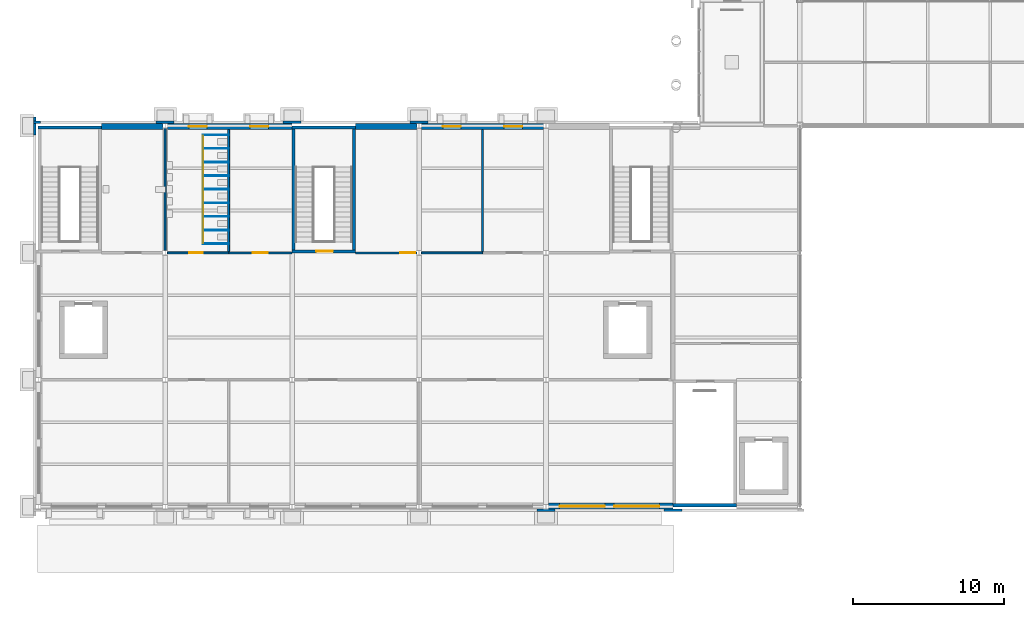
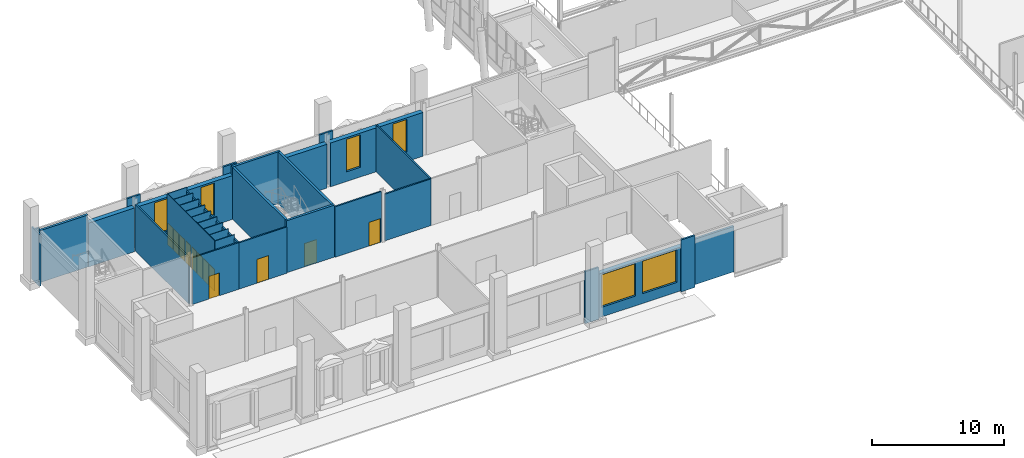
# One storey, part 48 of 76: 35 walls, 12 doors, 6 windows, 18 openings.
"""IFC4 building model written with IfcOpenShell, lengths in metres."""

import ifcopenshell
import ifcopenshell.guid

model = None  # the IFC model being written
_history = None  # IfcOwnerHistory: only IFC2X3 demands one
_inside = {}  # id of a spatial element -> (the spatial element, [elements in it])
_under = {}  # id of a project, library or spatial element -> (it, [spatial elements below it])
_declared = {}  # id of a project -> (the project, [libraries it declares])
_typed = {}  # id of a type object -> (the type object, [elements of that type])
_made_of = {}  # id of a material, layer set ... -> (it, [elements and type objects made of it])


def new_model(schema):
    """Start an empty IFC model of exactly this schema.

    Asked for "IFC4X3", IfcOpenShell would pick the latest addendum, in which some entities
    have other attributes; the version numbers below select the first issue.
    IFC2X3 requires an IfcOwnerHistory on every rooted entity: one is made here for all.
    """
    global model, _history
    if schema == "IFC4X3":
        model = ifcopenshell.file(schema_version=(4, 3, 0, 0))
    else:
        model = ifcopenshell.file(schema=schema)
    _inside.clear()
    _under.clear()
    _declared.clear()
    _typed.clear()
    _made_of.clear()
    _history = None
    if model.schema == "IFC2X3":
        org = make("IfcOrganization", Name="unknown")
        user = make(
            "IfcPersonAndOrganization",
            ThePerson=make("IfcPerson", FamilyName="unknown"),
            TheOrganization=org,
        )
        app = make(
            "IfcApplication",
            ApplicationDeveloper=org,
            Version="unknown",
            ApplicationFullName="unknown",
            ApplicationIdentifier="unknown",
        )
        _history = make(
            "IfcOwnerHistory",
            OwningUser=user,
            OwningApplication=app,
            ChangeAction="ADDED",
            CreationDate=0,
        )
    return model


def make(cls, **values):
    """One entity of the class cls with the attributes given. An attribute that is None is left unset."""
    return model.create_entity(
        cls, **{name: value for name, value in values.items() if value is not None}
    )


def rooted(cls, **values):
    """An entity with a GlobalId (a new one), such as an element, a storey or a relation."""
    return make(cls, GlobalId=ifcopenshell.guid.new(), OwnerHistory=_history, **values)


def si_unit(unit_type, name, prefix=None):
    """IfcSIUnit, for example si_unit("LENGTHUNIT", "METRE", prefix="MILLI")."""
    return make("IfcSIUnit", UnitType=unit_type, Prefix=prefix, Name=name)


def assignment(units):
    """IfcUnitAssignment: the units of a project."""
    return None if units is None else make("IfcUnitAssignment", Units=units)


def point(xyz):
    """IfcCartesianPoint."""
    return None if xyz is None else make("IfcCartesianPoint", Coordinates=xyz)


def direction(xyz):
    """IfcDirection."""
    return None if xyz is None else make("IfcDirection", DirectionRatios=xyz)


def frame(location, z_axis=None, x_axis=None):
    """IfcAxis2Placement3D, a coordinate frame: its origin and axes. An axis left out is left unset."""
    return make(
        "IfcAxis2Placement3D",
        Location=point(location),
        Axis=direction(z_axis),
        RefDirection=direction(x_axis),
    )


def frame_2d(location, x_axis=None):
    """IfcAxis2Placement2D, a coordinate frame in the plane: its origin and x axis."""
    return make(
        "IfcAxis2Placement2D", Location=point(location), RefDirection=direction(x_axis)
    )


def origin():
    """The frame at (0, 0, 0) with its axes left unset."""
    return frame((0.0, 0.0, 0.0))


def place(relative_to, where):
    """IfcLocalPlacement: puts the frame where relative to a parent placement (None: the world)."""
    return make(
        "IfcLocalPlacement", PlacementRelTo=relative_to, RelativePlacement=where
    )


def context(
    kind, dimensions, precision=None, world=None, true_north=None, identifier=None
):
    """IfcGeometricRepresentationContext, for example the 3D "Model" context."""
    return make(
        "IfcGeometricRepresentationContext",
        ContextIdentifier=identifier,
        ContextType=kind,
        CoordinateSpaceDimension=dimensions,
        Precision=precision,
        WorldCoordinateSystem=world,
        TrueNorth=true_north,
    )


def subcontext(parent, identifier, kind, view, scale=None):
    """IfcGeometricRepresentationSubContext, for example "Body" below "Model"."""
    return make(
        "IfcGeometricRepresentationSubContext",
        ContextIdentifier=identifier,
        ContextType=kind,
        ParentContext=parent,
        TargetScale=scale,
        TargetView=view,
    )


def project(units=None, contexts=None):
    """IfcProject with its units and contexts."""
    return rooted(
        "IfcProject",
        Name="project",
        RepresentationContexts=contexts,
        UnitsInContext=assignment(units),
    )


def spatial(cls, under=None, at=None, **own):
    """A site, building, storey or space (cls), placed at a placement, below another one or the project."""
    s = rooted(cls, ObjectPlacement=at, **own)
    if under is not None:
        _under.setdefault(under.id(), (under, []))[1].append(s)
    return s


def profile(cls, at=None, kind="AREA", **sizes):
    """A parametric profile (cls). Its sizes go by their IFC names, for example OverallWidth=200.0."""
    return make(cls, ProfileType=kind, Position=at, **sizes)


def rectangle(**sizes):
    """IfcRectangleProfileDef."""
    return profile("IfcRectangleProfileDef", **sizes)


def extrude(swept, where, along, depth):
    """IfcExtrudedAreaSolid: the profile swept, set in the frame where, extruded along a direction by depth."""
    return make(
        "IfcExtrudedAreaSolid",
        SweptArea=swept,
        Position=where,
        ExtrudedDirection=direction(along),
        Depth=depth,
    )


def shape(context_of_items, identifier, shape_type, items):
    """IfcShapeRepresentation: the items that make up one representation, for example the "Body"."""
    return make(
        "IfcShapeRepresentation",
        ContextOfItems=context_of_items,
        RepresentationIdentifier=identifier,
        RepresentationType=shape_type,
        Items=items,
    )


def material(Name=None, Category=None):
    """IfcMaterial."""
    return make("IfcMaterial", Name=Name, Category=Category)


def layer(
    of_material, thickness, ventilated=None, Name=None, Category=None, Priority=None
):
    """IfcMaterialLayer: one layer of a wall or slab, of a material (None: an air gap)."""
    return make(
        "IfcMaterialLayer",
        Material=of_material,
        LayerThickness=thickness,
        IsVentilated=ventilated,
        Name=Name,
        Category=Category,
        Priority=Priority,
    )


def layer_set(layers, Name=None):
    """IfcMaterialLayerSet."""
    return make("IfcMaterialLayerSet", MaterialLayers=layers, LayerSetName=Name)


def made_of(thing, what):
    """Note that an element or type object is made of a material, layer set ...; save() writes the relation."""
    if what is not None:
        _made_of.setdefault(what.id(), (what, []))[1].append(thing)
    return thing


def type_object(cls, material=None, **own):
    """A type object (cls), such as IfcWallType, which elements share."""
    return made_of(rooted(cls, **own), material)


def element(
    cls,
    number,
    at=None,
    inside=None,
    cuts=None,
    type_object=None,
    material=None,
    context=None,
    identifier="Body",
    shape_type=None,
    held_by="IfcProductDefinitionShape",
    body=None,
    shapes=None,
    **own,
):
    """One element of the class cls, such as IfcWall. Its Tag is "e" and its number.

    at: its placement. inside: the storey or other place that contains it. cuts: it is an
    opening in that element (IfcRelVoidsElement). A single representation is given by context,
    identifier, shape_type and body (its items); several are given by shapes. held_by: the class
    of the entity that holds the representations. save() writes the other relations.
    """
    e = rooted(cls, Tag="e%d" % number, ObjectPlacement=at, **own)
    if body is not None:
        shapes = [shape(context, identifier, shape_type, body)]
    if shapes is not None:
        e.Representation = make(held_by, Representations=shapes)
    if inside is not None:
        _inside.setdefault(inside.id(), (inside, []))[1].append(e)
    if cuts is not None:
        rooted(
            "IfcRelVoidsElement", RelatingBuildingElement=cuts, RelatedOpeningElement=e
        )
    if type_object is not None:
        _typed.setdefault(type_object.id(), (type_object, []))[1].append(e)
    return made_of(e, material)


def fill(opening, filler):
    """IfcRelFillsElement: the door or window that sits in an opening."""
    return rooted(
        "IfcRelFillsElement",
        RelatingOpeningElement=opening,
        RelatedBuildingElement=filler,
    )


def aggregate(whole, parts):
    """IfcRelAggregates: a whole, such as a stair, and the parts it consists of."""
    return rooted("IfcRelAggregates", RelatingObject=whole, RelatedObjects=parts)


def save(model, path):
    """Write the relations noted so far, then the file.

    IfcRelAggregates (storeys below a building ...), IfcRelContainedInSpatialStructure (elements
    in a storey), IfcRelDefinesByType, IfcRelAssociatesMaterial and IfcRelDeclares: one each for
    every whole, place, type object, material and project.
    """
    for whole, parts in _under.values():
        aggregate(whole, parts)
    for where, things in _inside.values():
        rooted(
            "IfcRelContainedInSpatialStructure",
            RelatedElements=things,
            RelatingStructure=where,
        )
    for kind, things in _typed.values():
        rooted("IfcRelDefinesByType", RelatedObjects=things, RelatingType=kind)
    for what, things in _made_of.values():
        rooted("IfcRelAssociatesMaterial", RelatedObjects=things, RelatingMaterial=what)
    for by, libraries in _declared.values():
        rooted("IfcRelDeclares", RelatingContext=by, RelatedDefinitions=libraries)
    model.write(path)


model = new_model("IFC4")

# Units and contexts
model_context = context("Model", 3, precision=1e-05, world=origin(), true_north=direction((0.0, 1.0)))
body_context = subcontext(model_context, "Body", "Model", "MODEL_VIEW")
ifc_project = project(units=[si_unit("LENGTHUNIT", "METRE"), si_unit("AREAUNIT", "SQUARE_METRE"), si_unit("VOLUMEUNIT", "CUBIC_METRE"), si_unit("PLANEANGLEUNIT", "RADIAN"), si_unit("MASSUNIT", "GRAM", prefix="KILO")], contexts=[model_context])

# Site, building, storey
site_placement = place(None, origin())
site = spatial("IfcSite", under=ifc_project, at=site_placement, CompositionType="ELEMENT")
building_placement = place(site_placement, origin())
building = spatial("IfcBuilding", under=site, at=building_placement, Name="Sava Quay Ferry Terminal", CompositionType="ELEMENT")
storey_placement = place(building_placement, frame((0.0, 0.0, 6.0)))
storey = spatial("IfcBuildingStorey", under=building, at=storey_placement, Name="L01", CompositionType="ELEMENT", Elevation=6.0)

# Wall, openings, doors
ifc_material_1 = material(Name="High-pressure laminate panel")
ifc_layer_1 = layer(ifc_material_1, 0.050048828125)
ifc_layer_set_1 = layer_set([ifc_layer_1], Name="High-pressure laminate panel")
wall_type_1 = type_object("IfcWallType", Name="Cubicle partition 50", PredefinedType="PARTITIONING", material=ifc_layer_set_1)
wall_1_placement = place(storey_placement, frame((10.89990234375, 42.60009765625, 0.0), z_axis=(0.0, 0.0, 1.0), x_axis=(0.0, 1.0, 0.0)))
wall_1 = element("IfcWall", 1, at=wall_1_placement, inside=storey, type_object=wall_type_1, Name="Cubicle partition panel", PredefinedType="PARTITIONING", context=body_context, shape_type="SweptSolid", body=[
    extrude(rectangle(XDim=7.199951171875, YDim=0.050048828125, at=frame_2d((3.60009765625, 0.0))), origin(), (0.0, 0.0, 1.0), 4.669921875),
])
opening_1_placement = place(wall_1_placement, frame((0.050048828125, 0.0, 0.0)))
opening_1 = element("IfcOpeningElement", 2, at=opening_1_placement, cuts=wall_1, Name="Opening CD035", PredefinedType="OPENING", context=body_context, shape_type="SweptSolid", body=[
    extrude(rectangle(XDim=0.800048828125, YDim=2.0, at=frame_2d((0.39990234375, 1.0))), frame((0.0, 0.02490234375, 0.0), z_axis=(0.0, -1.0, 0.0), x_axis=(1.0, 0.0, 0.0)), (0.0, 0.0, 1.0), 0.050048828125),
])
opening_2_placement = place(wall_1_placement, frame((0.949951171875, 0.0, 0.0)))
opening_2 = element("IfcOpeningElement", 3, at=opening_2_placement, cuts=wall_1, Name="Opening CD036", PredefinedType="OPENING", context=body_context, shape_type="SweptSolid", body=[
    extrude(rectangle(XDim=0.800048828125, YDim=2.0, at=frame_2d((0.39990234375, 1.0))), frame((0.0, 0.02490234375, 0.0), z_axis=(0.0, -1.0, 0.0), x_axis=(1.0, 0.0, 0.0)), (0.0, 0.0, 1.0), 0.050048828125),
])
opening_3_placement = place(wall_1_placement, frame((1.85009765625, 0.0, 0.0)))
opening_3 = element("IfcOpeningElement", 4, at=opening_3_placement, cuts=wall_1, Name="Opening CD037", PredefinedType="OPENING", context=body_context, shape_type="SweptSolid", body=[
    extrude(rectangle(XDim=0.800048828125, YDim=2.0, at=frame_2d((0.39990234375, 1.0))), frame((0.0, 0.02490234375, 0.0), z_axis=(0.0, -1.0, 0.0), x_axis=(1.0, 0.0, 0.0)), (0.0, 0.0, 1.0), 0.050048828125),
])
opening_4_placement = place(wall_1_placement, frame((2.75, 0.0, 0.0)))
opening_4 = element("IfcOpeningElement", 5, at=opening_4_placement, cuts=wall_1, Name="Opening CD038", PredefinedType="OPENING", context=body_context, shape_type="SweptSolid", body=[
    extrude(rectangle(XDim=0.800048828125, YDim=2.0, at=frame_2d((0.39990234375, 1.0))), frame((0.0, 0.02490234375, 0.0), z_axis=(0.0, -1.0, 0.0), x_axis=(1.0, 0.0, 0.0)), (0.0, 0.0, 1.0), 0.050048828125),
])
opening_5_placement = place(wall_1_placement, frame((3.64990234375, 0.0, 0.0)))
opening_5 = element("IfcOpeningElement", 6, at=opening_5_placement, cuts=wall_1, Name="Opening CD039", PredefinedType="OPENING", context=body_context, shape_type="SweptSolid", body=[
    extrude(rectangle(XDim=0.800048828125, YDim=2.0, at=frame_2d((0.39990234375, 1.0))), frame((0.0, 0.02490234375, 0.0), z_axis=(0.0, -1.0, 0.0), x_axis=(1.0, 0.0, 0.0)), (0.0, 0.0, 1.0), 0.050048828125),
])
opening_6_placement = place(wall_1_placement, frame((4.550048828125, 0.0, 0.0)))
opening_6 = element("IfcOpeningElement", 7, at=opening_6_placement, cuts=wall_1, Name="Opening CD040", PredefinedType="OPENING", context=body_context, shape_type="SweptSolid", body=[
    extrude(rectangle(XDim=0.800048828125, YDim=2.0, at=frame_2d((0.39990234375, 1.0))), frame((0.0, 0.02490234375, 0.0), z_axis=(0.0, -1.0, 0.0), x_axis=(1.0, 0.0, 0.0)), (0.0, 0.0, 1.0), 0.050048828125),
])
opening_7_placement = place(wall_1_placement, frame((5.449951171875, 0.0, 0.0)))
opening_7 = element("IfcOpeningElement", 8, at=opening_7_placement, cuts=wall_1, Name="Opening CD041", PredefinedType="OPENING", context=body_context, shape_type="SweptSolid", body=[
    extrude(rectangle(XDim=0.800048828125, YDim=2.0, at=frame_2d((0.39990234375, 1.0))), frame((0.0, 0.02490234375, 0.0), z_axis=(0.0, -1.0, 0.0), x_axis=(1.0, 0.0, 0.0)), (0.0, 0.0, 1.0), 0.050048828125),
])
opening_8_placement = place(wall_1_placement, frame((6.35009765625, 0.0, 0.0)))
opening_8 = element("IfcOpeningElement", 9, at=opening_8_placement, cuts=wall_1, Name="Opening CD042", PredefinedType="OPENING", context=body_context, shape_type="SweptSolid", body=[
    extrude(rectangle(XDim=0.800048828125, YDim=2.0, at=frame_2d((0.39990234375, 1.0))), frame((0.0, 0.02490234375, 0.0), z_axis=(0.0, -1.0, 0.0), x_axis=(1.0, 0.0, 0.0)), (0.0, 0.0, 1.0), 0.050048828125),
])
ifc_material_2 = material(Name="Laminate door set")
door_type_1 = type_object("IfcDoorType", Name="Cubicle door 800 x 2000", OperationType="NOTDEFINED", PredefinedType="DOOR", material=ifc_material_2)
door_1_placement = place(opening_1_placement, origin())
door_1 = element("IfcDoor", 10, at=door_1_placement, inside=storey, type_object=door_type_1, Name="Cubicle door", OperationType="SINGLE_SWING_RIGHT", OverallHeight=2.0, OverallWidth=0.800048828125, PredefinedType="DOOR", context=body_context, shape_type="SweptSolid", body=[
    extrude(rectangle(XDim=0.800048828125, YDim=2.0, at=frame_2d((0.39990234375, 1.0))), frame((0.0, 0.02490234375, 0.0), z_axis=(0.0, -1.0, 0.0), x_axis=(1.0, 0.0, 0.0)), (0.0, 0.0, 1.0), 0.049560546875),
])
fill(opening_1, door_1)
door_2_placement = place(opening_2_placement, origin())
door_2 = element("IfcDoor", 11, at=door_2_placement, inside=storey, type_object=door_type_1, Name="Cubicle door", OperationType="SINGLE_SWING_LEFT", OverallHeight=2.0, OverallWidth=0.800048828125, PredefinedType="DOOR", context=body_context, shape_type="SweptSolid", body=[
    extrude(rectangle(XDim=0.800048828125, YDim=2.0, at=frame_2d((0.39990234375, 1.0))), frame((0.0, 0.02490234375, 0.0), z_axis=(0.0, -1.0, 0.0), x_axis=(1.0, 0.0, 0.0)), (0.0, 0.0, 1.0), 0.049560546875),
])
fill(opening_2, door_2)
door_3_placement = place(opening_3_placement, origin())
door_3 = element("IfcDoor", 12, at=door_3_placement, inside=storey, type_object=door_type_1, Name="Cubicle door", OperationType="SINGLE_SWING_RIGHT", OverallHeight=2.0, OverallWidth=0.800048828125, PredefinedType="DOOR", context=body_context, shape_type="SweptSolid", body=[
    extrude(rectangle(XDim=0.800048828125, YDim=2.0, at=frame_2d((0.39990234375, 1.0))), frame((0.0, 0.02490234375, 0.0), z_axis=(0.0, -1.0, 0.0), x_axis=(1.0, 0.0, 0.0)), (0.0, 0.0, 1.0), 0.049560546875),
])
fill(opening_3, door_3)
door_4_placement = place(opening_4_placement, origin())
door_4 = element("IfcDoor", 13, at=door_4_placement, inside=storey, type_object=door_type_1, Name="Cubicle door", OperationType="SINGLE_SWING_LEFT", OverallHeight=2.0, OverallWidth=0.800048828125, PredefinedType="DOOR", context=body_context, shape_type="SweptSolid", body=[
    extrude(rectangle(XDim=0.800048828125, YDim=2.0, at=frame_2d((0.39990234375, 1.0))), frame((0.0, 0.02490234375, 0.0), z_axis=(0.0, -1.0, 0.0), x_axis=(1.0, 0.0, 0.0)), (0.0, 0.0, 1.0), 0.049560546875),
])
fill(opening_4, door_4)
door_5_placement = place(opening_5_placement, origin())
door_5 = element("IfcDoor", 14, at=door_5_placement, inside=storey, type_object=door_type_1, Name="Cubicle door", OperationType="SINGLE_SWING_RIGHT", OverallHeight=2.0, OverallWidth=0.800048828125, PredefinedType="DOOR", context=body_context, shape_type="SweptSolid", body=[
    extrude(rectangle(XDim=0.800048828125, YDim=2.0, at=frame_2d((0.39990234375, 1.0))), frame((0.0, 0.02490234375, 0.0), z_axis=(0.0, -1.0, 0.0), x_axis=(1.0, 0.0, 0.0)), (0.0, 0.0, 1.0), 0.049560546875),
])
fill(opening_5, door_5)
door_6_placement = place(opening_6_placement, origin())
door_6 = element("IfcDoor", 15, at=door_6_placement, inside=storey, type_object=door_type_1, Name="Cubicle door", OperationType="SINGLE_SWING_LEFT", OverallHeight=2.0, OverallWidth=0.800048828125, PredefinedType="DOOR", context=body_context, shape_type="SweptSolid", body=[
    extrude(rectangle(XDim=0.800048828125, YDim=2.0, at=frame_2d((0.39990234375, 1.0))), frame((0.0, 0.02490234375, 0.0), z_axis=(0.0, -1.0, 0.0), x_axis=(1.0, 0.0, 0.0)), (0.0, 0.0, 1.0), 0.049560546875),
])
fill(opening_6, door_6)
door_7_placement = place(opening_7_placement, origin())
door_7 = element("IfcDoor", 16, at=door_7_placement, inside=storey, type_object=door_type_1, Name="Cubicle door", OperationType="SINGLE_SWING_RIGHT", OverallHeight=2.0, OverallWidth=0.800048828125, PredefinedType="DOOR", context=body_context, shape_type="SweptSolid", body=[
    extrude(rectangle(XDim=0.800048828125, YDim=2.0, at=frame_2d((0.39990234375, 1.0))), frame((0.0, 0.02490234375, 0.0), z_axis=(0.0, -1.0, 0.0), x_axis=(1.0, 0.0, 0.0)), (0.0, 0.0, 1.0), 0.049560546875),
])
fill(opening_7, door_7)
door_8_placement = place(opening_8_placement, origin())
door_8 = element("IfcDoor", 17, at=door_8_placement, inside=storey, type_object=door_type_1, Name="Cubicle door", OperationType="SINGLE_SWING_LEFT", OverallHeight=2.0, OverallWidth=0.800048828125, PredefinedType="DOOR", context=body_context, shape_type="SweptSolid", body=[
    extrude(rectangle(XDim=0.800048828125, YDim=2.0, at=frame_2d((0.39990234375, 1.0))), frame((0.0, 0.02490234375, 0.0), z_axis=(0.0, -1.0, 0.0), x_axis=(1.0, 0.0, 0.0)), (0.0, 0.0, 1.0), 0.049560546875),
])
fill(opening_8, door_8)

# Walls
for number, where, z_axis, x_axis, name in (
    (18, (12.60009765625, 42.60009765625, 0.0), (0.0, 0.0, 1.0), (-1.0, 0.0, 0.0), "Cubicle partition panel"),
    (19, (12.60009765625, 43.5, 0.0), (0.0, 0.0, 1.0), (-1.0, 0.0, 0.0), "Cubicle partition panel"),
    (20, (12.60009765625, 44.39990234375, 0.0), (0.0, 0.0, 1.0), (-1.0, 0.0, 0.0), "Cubicle partition panel"),
    (21, (12.60009765625, 45.300048828125, 0.0), (0.0, 0.0, 1.0), (-1.0, 0.0, 0.0), "Cubicle partition panel"),
    (22, (12.60009765625, 46.199951171875, 0.0), (0.0, 0.0, 1.0), (-1.0, 0.0, 0.0), "Cubicle partition panel"),
    (23, (12.60009765625, 47.10009765625, 0.0), (0.0, 0.0, 1.0), (-1.0, 0.0, 0.0), "Cubicle partition panel"),
    (24, (12.60009765625, 48.0, 0.0), (0.0, 0.0, 1.0), (-1.0, 0.0, 0.0), "Cubicle partition panel"),
    (25, (12.60009765625, 48.89990234375, 0.0), (0.0, 0.0, 1.0), (-1.0, 0.0, 0.0), "Cubicle partition panel"),
    (26, (12.60009765625, 49.800048828125, 0.0), (0.0, 0.0, 1.0), (-1.0, 0.0, 0.0), "Cubicle partition panel"),
):
    element("IfcWall", number, at=place(storey_placement, frame(where, z_axis=z_axis, x_axis=x_axis)), inside=storey, type_object=wall_type_1, Name=name, PredefinedType="PARTITIONING", context=body_context, shape_type="SweptSolid", body=[
        extrude(rectangle(XDim=1.7001953125, YDim=0.050048828125, at=frame_2d((0.85009765625, 0.0))), origin(), (0.0, 0.0, 1.0), 4.669921875),
    ])
ifc_material_3 = material(Name="Limestone Mutalj", Category="masonry")
ifc_layer_2 = layer(ifc_material_3, 0.14990234375)
ifc_layer_set_2 = layer_set([ifc_layer_2], Name="Limestone Mutalj")
wall_type_2 = type_object("IfcWallType", Name="Pier cladding 150", PredefinedType="SOLIDWALL", material=ifc_layer_set_2)
wall_2_placement = place(storey_placement, frame((33.0, 24.965087890625, 0.0), z_axis=(0.0, 0.0, 1.0), x_axis=(1.0, 0.0, 0.0)))
element("IfcWall", 27, at=wall_2_placement, inside=storey, type_object=wall_type_2, Name="Pier W-S grid 33.6", PredefinedType="SOLIDWALL", context=body_context, shape_type="SweptSolid", body=[
    extrude(rectangle(XDim=1.199951171875, YDim=0.14990234375, at=frame_2d((0.60009765625, 0.0))), origin(), (0.0, 0.0, 1.0), 4.800048828125),
])
wall_3_placement = place(storey_placement, frame((41.39990234375, 24.965087890625, 0.0), z_axis=(0.0, 0.0, 1.0), x_axis=(1.0, 0.0, 0.0)))
element("IfcWall", 28, at=wall_3_placement, inside=storey, type_object=wall_type_2, Name="Pier W-S grid 42", PredefinedType="SOLIDWALL", context=body_context, shape_type="SweptSolid", body=[
    extrude(rectangle(XDim=1.2001953125, YDim=0.14990234375, at=frame_2d((0.60009765625, 0.0))), origin(), (0.0, 0.0, 1.0), 4.800048828125),
])
wall_4_placement = place(storey_placement, frame((-0.22509765625, 49.800048828125, 0.0), z_axis=(0.0, 0.0, 1.0), x_axis=(0.0, 1.0, 0.0)))
element("IfcWall", 29, at=wall_4_placement, inside=storey, type_object=wall_type_2, Name="Pier W-W grid 50.4", PredefinedType="SOLIDWALL", context=body_context, shape_type="SweptSolid", body=[
    extrude(rectangle(XDim=1.199951171875, YDim=0.14990234375, at=frame_2d((0.60009765625, 0.0))), origin(), (0.0, 0.0, 1.0), 4.800048828125),
])
wall_5_placement = place(storey_placement, frame((-0.300048828125, 50.635009765625, 0.0), z_axis=(0.0, 0.0, 1.0), x_axis=(1.0, 0.0, 0.0)))
element("IfcWall", 30, at=wall_5_placement, inside=storey, type_object=wall_type_2, Name="Pier W-N grid 0", PredefinedType="SOLIDWALL", context=body_context, shape_type="SweptSolid", body=[
    extrude(rectangle(XDim=0.449951171875, YDim=0.14990234375, at=frame_2d((0.22509765625, 0.0))), origin(), (0.0, 0.0, 1.0), 4.800048828125),
])
for number, where, z_axis, x_axis, name in (
    (31, (7.800048828125, 50.635009765625, 0.0), (0.0, 0.0, 1.0), (1.0, 0.0, 0.0), "Pier W-N grid 8.4"),
    (32, (16.199951171875, 50.635009765625, 0.0), (0.0, 0.0, 1.0), (1.0, 0.0, 0.0), "Pier W-N grid 16.8"),
    (33, (24.60009765625, 50.635009765625, 0.0), (0.0, 0.0, 1.0), (1.0, 0.0, 0.0), "Pier W-N grid 25.2"),
):
    element("IfcWall", number, at=place(storey_placement, frame(where, z_axis=z_axis, x_axis=x_axis)), inside=storey, type_object=wall_type_2, Name=name, PredefinedType="SOLIDWALL", context=body_context, shape_type="SweptSolid", body=[
        extrude(rectangle(XDim=1.199951171875, YDim=0.14990234375, at=frame_2d((0.60009765625, 0.0))), origin(), (0.0, 0.0, 1.0), 4.800048828125),
    ])
ifc_material_4 = material(Name="Concrete C35/45", Category="concrete")
ifc_layer_3 = layer(ifc_material_4, 0.199951171875)
ifc_layer_set_3 = layer_set([ifc_layer_3], Name="Concrete C35/45")
wall_type_3 = type_object("IfcWallType", Name="RC core wall 200", PredefinedType="SHEAR", material=ifc_layer_set_3)
wall_6_placement = place(storey_placement, frame((42.0, 25.300048828125, 0.0), z_axis=(0.0, 0.0, 1.0), x_axis=(1.0, 0.0, 0.0)))
element("IfcWall", 34, at=wall_6_placement, inside=storey, type_object=wall_type_3, Name="Core wall ST-A1 S L01", PredefinedType="SHEAR", context=body_context, shape_type="SweptSolid", body=[
    extrude(rectangle(XDim=4.199951171875, YDim=0.199951171875, at=frame_2d((2.10009765625, 0.0))), origin(), (0.0, 0.0, 1.0), 4.199951171875),
])
wall_7_placement = place(storey_placement, frame((0.0, 50.300048828125, 0.0), z_axis=(0.0, 0.0, 1.0), x_axis=(1.0, 0.0, 0.0)))
element("IfcWall", 35, at=wall_7_placement, inside=storey, type_object=wall_type_3, Name="Core wall ST-W1 N L01", PredefinedType="SHEAR", context=body_context, shape_type="SweptSolid", body=[
    extrude(rectangle(XDim=4.199951171875, YDim=0.199951171875, at=frame_2d((2.10009765625, 0.0))), origin(), (0.0, 0.0, 1.0), 4.800048828125),
])

# Wall, opening, door
wall_8_placement = place(storey_placement, frame((16.800048828125, 42.10009765625, 0.0), z_axis=(0.0, 0.0, 1.0), x_axis=(1.0, 0.0, 0.0)))
wall_8 = element("IfcWall", 36, at=wall_8_placement, inside=storey, type_object=wall_type_3, Name="Core wall ST-W3 S L01", PredefinedType="SHEAR", context=body_context, shape_type="SweptSolid", body=[
    extrude(rectangle(XDim=4.199951171875, YDim=0.199951171875, at=frame_2d((2.10009765625, 0.0))), origin(), (0.0, 0.0, 1.0), 4.800048828125),
])
opening_9_placement = place(wall_8_placement, frame((1.60009765625, 0.0, 0.0)))
opening_9 = element("IfcOpeningElement", 37, at=opening_9_placement, cuts=wall_8, Name="Opening DS0104", PredefinedType="OPENING", context=body_context, shape_type="SweptSolid", body=[
    extrude(rectangle(XDim=1.10009765625, YDim=2.10009765625, at=frame_2d((0.550048828125, 1.050048828125))), frame((0.0, 0.10009765625, 0.0), z_axis=(0.0, -1.0, 0.0), x_axis=(1.0, 0.0, 0.0)), (0.0, 0.0, 1.0), 0.199951171875),
])
ifc_material_5 = material(Name="Steel fire door set", Category="steel")
door_type_2 = type_object("IfcDoorType", Name="Stair fire door 1100 x 2100", OperationType="NOTDEFINED", PredefinedType="DOOR", material=ifc_material_5)
door_9_placement = place(opening_9_placement, origin())
door_9 = element("IfcDoor", 38, at=door_9_placement, inside=storey, type_object=door_type_2, Name="Door DS0104", OperationType="SINGLE_SWING_RIGHT", OverallHeight=2.10009765625, OverallWidth=1.10009765625, PredefinedType="DOOR", context=body_context, shape_type="SweptSolid", body=[
    extrude(rectangle(XDim=1.10009765625, YDim=2.10009765625, at=frame_2d((0.550048828125, 1.050048828125))), frame((0.0, 0.02490234375, 0.0), z_axis=(0.0, -1.0, 0.0), x_axis=(1.0, 0.0, 0.0)), (0.0, 0.0, 1.0), 0.050048828125),
])
fill(opening_9, door_9)

# Walls
wall_9_placement = place(storey_placement, frame((16.800048828125, 50.300048828125, 0.0), z_axis=(0.0, 0.0, 1.0), x_axis=(1.0, 0.0, 0.0)))
element("IfcWall", 39, at=wall_9_placement, inside=storey, type_object=wall_type_3, Name="Core wall ST-W3 N L01", PredefinedType="SHEAR", context=body_context, shape_type="SweptSolid", body=[
    extrude(rectangle(XDim=4.199951171875, YDim=0.199951171875, at=frame_2d((2.10009765625, 0.0))), origin(), (0.0, 0.0, 1.0), 4.800048828125),
])
for number, where, z_axis, x_axis, name in (
    (40, (16.89990234375, 42.199951171875, 0.0), (0.0, 0.0, 1.0), (0.0, 1.0, 0.0), "Core wall ST-W3 W L01"),
    (41, (20.89990234375, 42.199951171875, 0.0), (0.0, 0.0, 1.0), (0.0, 1.0, 0.0), "Core wall ST-W3 E L01"),
):
    element("IfcWall", number, at=place(storey_placement, frame(where, z_axis=z_axis, x_axis=x_axis)), inside=storey, type_object=wall_type_3, Name=name, PredefinedType="SHEAR", context=body_context, shape_type="SweptSolid", body=[
        extrude(rectangle(XDim=8.0, YDim=0.199951171875, at=frame_2d((4.0, 0.0))), origin(), (0.0, 0.0, 1.0), 4.800048828125),
    ])

# Wall, opening, door
ifc_material_6 = material(Name="Plasterboard on steel studs", Category="steel")
ifc_layer_4 = layer(ifc_material_6, 0.125)
ifc_layer_set_4 = layer_set([ifc_layer_4], Name="Plasterboard on steel studs")
wall_type_4 = type_object("IfcWallType", Name="Room partition, plasterboard on steel studs 125", PredefinedType="PARTITIONING", material=ifc_layer_set_4)
wall_10_placement = place(storey_placement, frame((12.60009765625, 42.0, 0.0), z_axis=(0.0, 0.0, 1.0), x_axis=(1.0, 0.0, 0.0)))
wall_10 = element("IfcWall", 42, at=wall_10_placement, inside=storey, type_object=wall_type_4, Name="Room partition, plasterboard on steel studs 125", PredefinedType="PARTITIONING", context=body_context, shape_type="SweptSolid", body=[
    extrude(rectangle(XDim=4.199951171875, YDim=0.125, at=frame_2d((2.10009765625, 0.0))), origin(), (0.0, 0.0, 1.0), 4.280029296875),
])
opening_10_placement = place(wall_10_placement, frame((1.60009765625, 0.0, 0.0)))
opening_10 = element("IfcOpeningElement", 43, at=opening_10_placement, cuts=wall_10, Name="Opening D0109", PredefinedType="OPENING", context=body_context, shape_type="SweptSolid", body=[
    extrude(rectangle(XDim=1.0, YDim=2.199951171875, at=frame_2d((0.5, 1.10009765625))), frame((0.0, 0.0625, 0.0), z_axis=(0.0, -1.0, 0.0), x_axis=(1.0, 0.0, 0.0)), (0.0, 0.0, 1.0), 0.125),
])
ifc_material_7 = material(Name="Timber door set", Category="wood")
door_type_3 = type_object("IfcDoorType", Name="Single door 1000 x 2200", OperationType="NOTDEFINED", PredefinedType="DOOR", material=ifc_material_7)
door_10_placement = place(opening_10_placement, origin())
door_10 = element("IfcDoor", 44, at=door_10_placement, inside=storey, type_object=door_type_3, Name="Door D0109", OperationType="SINGLE_SWING_LEFT", OverallHeight=2.199951171875, OverallWidth=1.0, PredefinedType="DOOR", context=body_context, shape_type="SweptSolid", body=[
    extrude(rectangle(XDim=1.0, YDim=2.199951171875, at=frame_2d((0.5, 1.10009765625))), frame((0.0, 0.02490234375, 0.0), z_axis=(0.0, -1.0, 0.0), x_axis=(1.0, 0.0, 0.0)), (0.0, 0.0, 1.0), 0.050048828125),
])
fill(opening_10, door_10)

wall_11_placement = place(storey_placement, frame((21.0, 42.0, 0.0), z_axis=(0.0, 0.0, 1.0), x_axis=(1.0, 0.0, 0.0)))
wall_11 = element("IfcWall", 45, at=wall_11_placement, inside=storey, type_object=wall_type_4, Name="Room partition, plasterboard on steel studs 125", PredefinedType="PARTITIONING", context=body_context, shape_type="SweptSolid", body=[
    extrude(rectangle(XDim=4.050048828125, YDim=0.125, at=frame_2d((2.02490234375, 0.0))), origin(), (0.0, 0.0, 1.0), 4.669921875),
])
opening_11_placement = place(wall_11_placement, frame((2.949951171875, 0.0, 0.0)))
opening_11 = element("IfcOpeningElement", 46, at=opening_11_placement, cuts=wall_11, Name="Opening D0110", PredefinedType="OPENING", context=body_context, shape_type="SweptSolid", body=[
    extrude(rectangle(XDim=1.0, YDim=2.199951171875, at=frame_2d((0.5, 1.10009765625))), frame((0.0, 0.0625, 0.0), z_axis=(0.0, -1.0, 0.0), x_axis=(1.0, 0.0, 0.0)), (0.0, 0.0, 1.0), 0.125),
])
door_11_placement = place(opening_11_placement, origin())
door_11 = element("IfcDoor", 47, at=door_11_placement, inside=storey, type_object=door_type_3, Name="Door D0110", OperationType="SINGLE_SWING_LEFT", OverallHeight=2.199951171875, OverallWidth=1.0, PredefinedType="DOOR", context=body_context, shape_type="SweptSolid", body=[
    extrude(rectangle(XDim=1.0, YDim=2.199951171875, at=frame_2d((0.5, 1.10009765625))), frame((0.0, 0.02490234375, 0.0), z_axis=(0.0, -1.0, 0.0), x_axis=(1.0, 0.0, 0.0)), (0.0, 0.0, 1.0), 0.050048828125),
])
fill(opening_11, door_11)

# Walls
wall_12_placement = place(storey_placement, frame((25.35009765625, 42.0, 0.0), z_axis=(0.0, 0.0, 1.0), x_axis=(1.0, 0.0, 0.0)))
element("IfcWall", 48, at=wall_12_placement, inside=storey, type_object=wall_type_4, Name="Room partition, plasterboard on steel studs 125", PredefinedType="PARTITIONING", context=body_context, shape_type="SweptSolid", body=[
    extrude(rectangle(XDim=4.0498046875, YDim=0.125, at=frame_2d((2.02490234375, 0.0))), origin(), (0.0, 0.0, 1.0), 4.31005859375),
])
wall_13_placement = place(storey_placement, frame((29.39990234375, 42.0, 0.0), z_axis=(0.0, 0.0, 1.0), x_axis=(0.0, 1.0, 0.0)))
element("IfcWall", 49, at=wall_13_placement, inside=storey, type_object=wall_type_4, Name="Room partition, plasterboard on steel studs 125", PredefinedType="PARTITIONING", context=body_context, shape_type="SweptSolid", body=[
    extrude(rectangle(XDim=8.159423828125, YDim=0.125, at=frame_2d((4.07958984375, 0.0))), origin(), (0.0, 0.0, 1.0), 4.31005859375),
])

# Wall, openings, windows
ifc_material_8 = material(Name="Sandstone Bela Voda", Category="masonry")
ifc_layer_5 = layer(ifc_material_8, 0.39990234375)
ifc_layer_set_5 = layer_set([ifc_layer_5], Name="Sandstone Bela Voda")
wall_type_5 = type_object("IfcWallType", Name="Sandstone ashlar infill 400", PredefinedType="SOLIDWALL", material=ifc_layer_set_5)
wall_14_placement = place(storey_placement, frame((33.75, 25.239990234375, 0.0), z_axis=(0.0, 0.0, 1.0), x_axis=(1.0, 0.0, 0.0)))
wall_14 = element("IfcWall", 50, at=wall_14_placement, inside=storey, type_object=wall_type_5, Name="External wall W-S", PredefinedType="SOLIDWALL", context=body_context, shape_type="SweptSolid", body=[
    extrude(rectangle(XDim=8.25, YDim=0.39990234375, at=frame_2d((4.125, 0.0))), origin(), (0.0, 0.0, 1.0), 4.050048828125),
])
opening_12_placement = place(wall_14_placement, frame((0.75, 0.0, 0.89990234375)))
opening_12 = element("IfcOpeningElement", 51, at=opening_12_placement, cuts=wall_14, Name="Opening W-B", PredefinedType="OPENING", context=body_context, shape_type="SweptSolid", body=[
    extrude(rectangle(XDim=3.0, YDim=3.0, at=frame_2d((1.5, 1.5))), frame((0.0, 0.199951171875, 0.0), z_axis=(0.0, -1.0, 0.0), x_axis=(1.0, 0.0, 0.0)), (0.0, 0.0, 1.0), 0.39990234375),
])
opening_13_placement = place(wall_14_placement, frame((4.35009765625, 0.0, 0.89990234375)))
opening_13 = element("IfcOpeningElement", 52, at=opening_13_placement, cuts=wall_14, Name="Opening W-B", PredefinedType="OPENING", context=body_context, shape_type="SweptSolid", body=[
    extrude(rectangle(XDim=3.0, YDim=3.0, at=frame_2d((1.5, 1.5))), frame((0.0, 0.199951171875, 0.0), z_axis=(0.0, -1.0, 0.0), x_axis=(1.0, 0.0, 0.0)), (0.0, 0.0, 1.0), 0.39990234375),
])
ifc_material_9 = material(Name="Aluminium bronze anodised frame, glazing double low-e Ug 1.1", Category="aluminium")
window_type_1 = type_object("IfcWindowType", Name="Upper ordered window 3000x3000", PartitioningType="SINGLE_PANEL", PredefinedType="WINDOW", material=ifc_material_9)
window_1_placement = place(opening_12_placement, origin())
window_1 = element("IfcWindow", 53, at=window_1_placement, inside=storey, type_object=window_type_1, Name="Window W-B", OverallHeight=3.0, OverallWidth=3.0, PartitioningType="SINGLE_PANEL", PredefinedType="WINDOW", context=body_context, shape_type="SweptSolid", body=[
    extrude(rectangle(XDim=3.0, YDim=3.0, at=frame_2d((1.5, 1.5))), frame((0.0, 0.030029296875, 0.0), z_axis=(0.0, -1.0, 0.0), x_axis=(1.0, 0.0, 0.0)), (0.0, 0.0, 1.0), 0.06005859375),
])
fill(opening_12, window_1)
window_2_placement = place(opening_13_placement, origin())
window_2 = element("IfcWindow", 54, at=window_2_placement, inside=storey, type_object=window_type_1, Name="Window W-B", OverallHeight=3.0, OverallWidth=3.0, PartitioningType="SINGLE_PANEL", PredefinedType="WINDOW", context=body_context, shape_type="SweptSolid", body=[
    extrude(rectangle(XDim=3.0, YDim=3.0, at=frame_2d((1.5, 1.5))), frame((0.0, 0.030029296875, 0.0), z_axis=(0.0, -1.0, 0.0), x_axis=(1.0, 0.0, 0.0)), (0.0, 0.0, 1.0), 0.06005859375),
])
fill(opening_13, window_2)

# Wall
wall_15_placement = place(storey_placement, frame((4.199951171875, 50.360107421875, 0.0), z_axis=(0.0, 0.0, 1.0), x_axis=(1.0, 0.0, 0.0)))
element("IfcWall", 55, at=wall_15_placement, inside=storey, type_object=wall_type_5, Name="External wall W-N", PredefinedType="SOLIDWALL", context=body_context, shape_type="SweptSolid", body=[
    extrude(rectangle(XDim=4.050048828125, YDim=0.39990234375, at=frame_2d((2.02490234375, 0.0))), origin(), (0.0, 0.0, 1.0), 4.050048828125),
])

# Wall, openings, windows
wall_16_placement = place(storey_placement, frame((8.550048828125, 50.360107421875, 0.0), z_axis=(0.0, 0.0, 1.0), x_axis=(1.0, 0.0, 0.0)))
wall_16 = element("IfcWall", 56, at=wall_16_placement, inside=storey, type_object=wall_type_5, Name="External wall W-N", PredefinedType="SOLIDWALL", context=body_context, shape_type="SweptSolid", body=[
    extrude(rectangle(XDim=8.25, YDim=0.39990234375, at=frame_2d((4.125, 0.0))), origin(), (0.0, 0.0, 1.0), 4.050048828125),
])
opening_14_placement = place(wall_16_placement, frame((1.418701171875, 0.0, 0.89990234375)))
opening_14 = element("IfcOpeningElement", 57, at=opening_14_placement, cuts=wall_16, Name="Opening W-E1", PredefinedType="OPENING", context=body_context, shape_type="SweptSolid", body=[
    extrude(rectangle(XDim=1.199951171875, YDim=3.0, at=frame_2d((0.60009765625, 1.5))), frame((0.0, 0.199951171875, 0.0), z_axis=(0.0, -1.0, 0.0), x_axis=(1.0, 0.0, 0.0)), (0.0, 0.0, 1.0), 0.39990234375),
])
opening_15_placement = place(wall_16_placement, frame((5.481201171875, 0.0, 0.89990234375)))
opening_15 = element("IfcOpeningElement", 58, at=opening_15_placement, cuts=wall_16, Name="Opening W-E1", PredefinedType="OPENING", context=body_context, shape_type="SweptSolid", body=[
    extrude(rectangle(XDim=1.199951171875, YDim=3.0, at=frame_2d((0.60009765625, 1.5))), frame((0.0, 0.199951171875, 0.0), z_axis=(0.0, -1.0, 0.0), x_axis=(1.0, 0.0, 0.0)), (0.0, 0.0, 1.0), 0.39990234375),
])
ifc_material_10 = material(Name="Aluminium bronze anodised frame, glazing double low-e Ug 1.1", Category="aluminium")
window_type_2 = type_object("IfcWindowType", Name="Entrance sidelight 1200x3000", PartitioningType="SINGLE_PANEL", PredefinedType="WINDOW", material=ifc_material_10)
window_3_placement = place(opening_14_placement, origin())
window_3 = element("IfcWindow", 59, at=window_3_placement, inside=storey, type_object=window_type_2, Name="Window W-E1", OverallHeight=3.0, OverallWidth=1.199951171875, PartitioningType="SINGLE_PANEL", PredefinedType="WINDOW", context=body_context, shape_type="SweptSolid", body=[
    extrude(rectangle(XDim=1.199951171875, YDim=3.0, at=frame_2d((0.60009765625, 1.5))), frame((0.0, 0.030029296875, 0.0), z_axis=(0.0, -1.0, 0.0), x_axis=(1.0, 0.0, 0.0)), (0.0, 0.0, 1.0), 0.06005859375),
])
fill(opening_14, window_3)
window_4_placement = place(opening_15_placement, origin())
window_4 = element("IfcWindow", 60, at=window_4_placement, inside=storey, type_object=window_type_2, Name="Window W-E1", OverallHeight=3.0, OverallWidth=1.199951171875, PartitioningType="SINGLE_PANEL", PredefinedType="WINDOW", context=body_context, shape_type="SweptSolid", body=[
    extrude(rectangle(XDim=1.199951171875, YDim=3.0, at=frame_2d((0.60009765625, 1.5))), frame((0.0, 0.030029296875, 0.0), z_axis=(0.0, -1.0, 0.0), x_axis=(1.0, 0.0, 0.0)), (0.0, 0.0, 1.0), 0.06005859375),
])
fill(opening_15, window_4)

# Wall
wall_17_placement = place(storey_placement, frame((21.0, 50.360107421875, 0.0), z_axis=(0.0, 0.0, 1.0), x_axis=(1.0, 0.0, 0.0)))
element("IfcWall", 61, at=wall_17_placement, inside=storey, type_object=wall_type_5, Name="External wall W-N", PredefinedType="SOLIDWALL", context=body_context, shape_type="SweptSolid", body=[
    extrude(rectangle(XDim=4.050048828125, YDim=0.39990234375, at=frame_2d((2.02490234375, 0.0))), origin(), (0.0, 0.0, 1.0), 4.050048828125),
])

# Wall, openings, windows
wall_18_placement = place(storey_placement, frame((25.35009765625, 50.360107421875, 0.0), z_axis=(0.0, 0.0, 1.0), x_axis=(1.0, 0.0, 0.0)))
wall_18 = element("IfcWall", 62, at=wall_18_placement, inside=storey, type_object=wall_type_5, Name="External wall W-N", PredefinedType="SOLIDWALL", context=body_context, shape_type="SweptSolid", body=[
    extrude(rectangle(XDim=8.099853515625, YDim=0.39990234375, at=frame_2d((4.0498046875, 0.0))), origin(), (0.0, 0.0, 1.0), 4.050048828125),
])
opening_16_placement = place(wall_18_placement, frame((1.418701171875, 0.0, 0.89990234375)))
opening_16 = element("IfcOpeningElement", 63, at=opening_16_placement, cuts=wall_18, Name="Opening W-E1", PredefinedType="OPENING", context=body_context, shape_type="SweptSolid", body=[
    extrude(rectangle(XDim=1.199951171875, YDim=3.0, at=frame_2d((0.60009765625, 1.5))), frame((0.0, 0.199951171875, 0.0), z_axis=(0.0, -1.0, 0.0), x_axis=(1.0, 0.0, 0.0)), (0.0, 0.0, 1.0), 0.39990234375),
])
opening_17_placement = place(wall_18_placement, frame((5.481201171875, 0.0, 0.89990234375)))
opening_17 = element("IfcOpeningElement", 64, at=opening_17_placement, cuts=wall_18, Name="Opening W-E1", PredefinedType="OPENING", context=body_context, shape_type="SweptSolid", body=[
    extrude(rectangle(XDim=1.199951171875, YDim=3.0, at=frame_2d((0.60009765625, 1.5))), frame((0.0, 0.199951171875, 0.0), z_axis=(0.0, -1.0, 0.0), x_axis=(1.0, 0.0, 0.0)), (0.0, 0.0, 1.0), 0.39990234375),
])
window_5_placement = place(opening_16_placement, origin())
window_5 = element("IfcWindow", 65, at=window_5_placement, inside=storey, type_object=window_type_2, Name="Window W-E1", OverallHeight=3.0, OverallWidth=1.199951171875, PartitioningType="SINGLE_PANEL", PredefinedType="WINDOW", context=body_context, shape_type="SweptSolid", body=[
    extrude(rectangle(XDim=1.199951171875, YDim=3.0, at=frame_2d((0.60009765625, 1.5))), frame((0.0, 0.030029296875, 0.0), z_axis=(0.0, -1.0, 0.0), x_axis=(1.0, 0.0, 0.0)), (0.0, 0.0, 1.0), 0.06005859375),
])
fill(opening_16, window_5)
window_6_placement = place(opening_17_placement, origin())
window_6 = element("IfcWindow", 66, at=window_6_placement, inside=storey, type_object=window_type_2, Name="Window W-E1", OverallHeight=3.0, OverallWidth=1.199951171875, PartitioningType="SINGLE_PANEL", PredefinedType="WINDOW", context=body_context, shape_type="SweptSolid", body=[
    extrude(rectangle(XDim=1.199951171875, YDim=3.0, at=frame_2d((0.60009765625, 1.5))), frame((0.0, 0.030029296875, 0.0), z_axis=(0.0, -1.0, 0.0), x_axis=(1.0, 0.0, 0.0)), (0.0, 0.0, 1.0), 0.06005859375),
])
fill(opening_17, window_6)

# Wall, opening, door
ifc_material_11 = material(Name="Moisture-resistant board on steel studs", Category="steel")
ifc_layer_6 = layer(ifc_material_11, 0.125)
ifc_layer_set_6 = layer_set([ifc_layer_6], Name="Moisture-resistant board on steel studs")
wall_type_6 = type_object("IfcWallType", Name="Toilet partition, moisture-resistant board 125", PredefinedType="PARTITIONING", material=ifc_layer_set_6)
wall_19_placement = place(storey_placement, frame((8.550048828125, 42.0, 0.0), z_axis=(0.0, 0.0, 1.0), x_axis=(1.0, 0.0, 0.0)))
wall_19 = element("IfcWall", 67, at=wall_19_placement, inside=storey, type_object=wall_type_6, Name="Toilet partition, moisture-resistant board 125", PredefinedType="PARTITIONING", context=body_context, shape_type="SweptSolid", body=[
    extrude(rectangle(XDim=4.050048828125, YDim=0.125, at=frame_2d((2.02490234375, 0.0))), origin(), (0.0, 0.0, 1.0), 4.31005859375),
])
opening_18_placement = place(wall_19_placement, frame((1.449951171875, 0.0, 0.0)))
opening_18 = element("IfcOpeningElement", 68, at=opening_18_placement, cuts=wall_19, Name="Opening D0108", PredefinedType="OPENING", context=body_context, shape_type="SweptSolid", body=[
    extrude(rectangle(XDim=0.89990234375, YDim=2.10009765625, at=frame_2d((0.449951171875, 1.050048828125))), frame((0.0, 0.0625, 0.0), z_axis=(0.0, -1.0, 0.0), x_axis=(1.0, 0.0, 0.0)), (0.0, 0.0, 1.0), 0.125),
])
ifc_material_12 = material(Name="Laminate door set")
door_type_4 = type_object("IfcDoorType", Name="Toilet door 900 x 2100", OperationType="NOTDEFINED", PredefinedType="DOOR", material=ifc_material_12)
door_12_placement = place(opening_18_placement, origin())
door_12 = element("IfcDoor", 69, at=door_12_placement, inside=storey, type_object=door_type_4, Name="Door D0108", OperationType="SINGLE_SWING_LEFT", OverallHeight=2.10009765625, OverallWidth=0.89990234375, PredefinedType="DOOR", context=body_context, shape_type="SweptSolid", body=[
    extrude(rectangle(XDim=0.89990234375, YDim=2.10009765625, at=frame_2d((0.449951171875, 1.050048828125))), frame((0.0, 0.02490234375, 0.0), z_axis=(0.0, -1.0, 0.0), x_axis=(1.0, 0.0, 0.0)), (0.0, 0.0, 1.0), 0.050048828125),
])
fill(opening_18, door_12)

# Walls
wall_20_placement = place(storey_placement, frame((8.39990234375, 42.14990234375, 0.0), z_axis=(0.0, 0.0, 1.0), x_axis=(0.0, 1.0, 0.0)))
element("IfcWall", 70, at=wall_20_placement, inside=storey, type_object=wall_type_6, Name="Toilet partition, moisture-resistant board 125", PredefinedType="PARTITIONING", context=body_context, shape_type="SweptSolid", body=[
    extrude(rectangle(XDim=8.10009765625, YDim=0.125, at=frame_2d((4.050048828125, 0.0))), origin(), (0.0, 0.0, 1.0), 4.280029296875),
])
wall_21_placement = place(storey_placement, frame((12.60009765625, 42.0, 0.0), z_axis=(0.0, 0.0, 1.0), x_axis=(0.0, 1.0, 0.0)))
element("IfcWall", 71, at=wall_21_placement, inside=storey, type_object=wall_type_6, Name="Toilet partition, moisture-resistant board 125", PredefinedType="PARTITIONING", context=body_context, shape_type="SweptSolid", body=[
    extrude(rectangle(XDim=8.159423828125, YDim=0.125, at=frame_2d((4.07958984375, 0.0))), origin(), (0.0, 0.0, 1.0), 4.31005859375),
])

save(model, "model.ifc")
